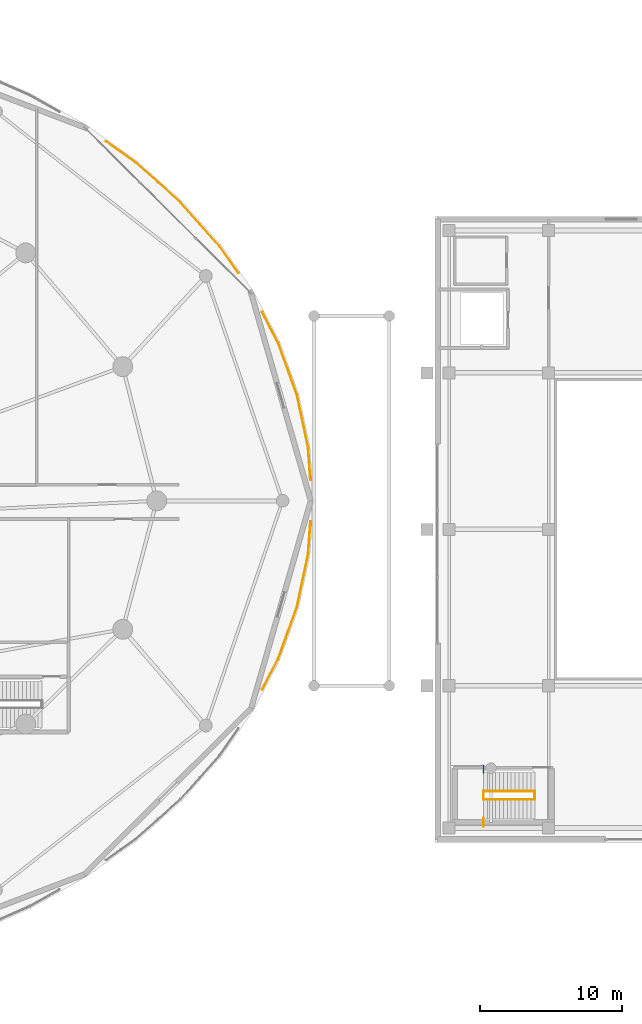
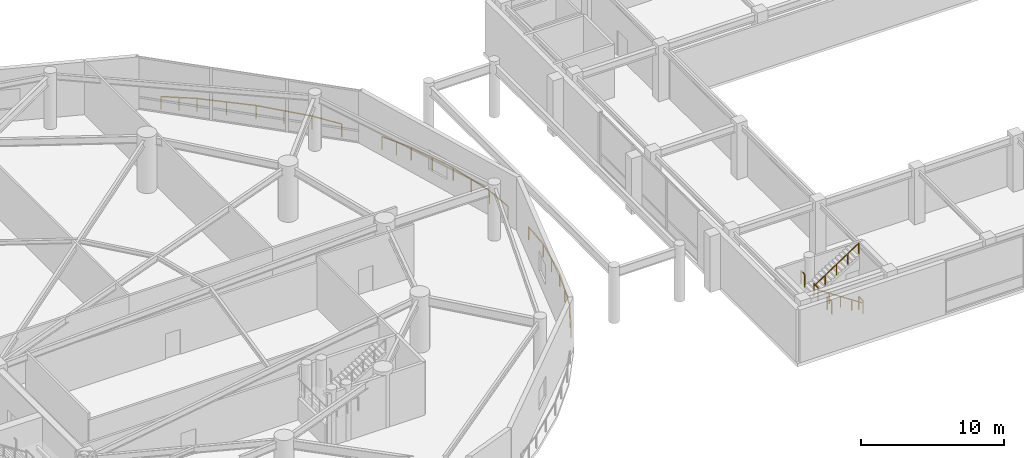
# One storey, part 38 of 40: 9 railings.
"""IFC4 building model written with IfcOpenShell, lengths in metres."""

from ifc_helpers import new_model, si_unit, direction, frame, origin, origin_2d, place, context, subcontext, project, spatial, rectangle, extrude, material, type_object, element, save


model = new_model("IFC4")

# Units and contexts
model_context = context("Model", 3, precision=1e-05, world=origin(), true_north=direction((0.0, 1.0)))
body_context = subcontext(model_context, "Body", "Model", "MODEL_VIEW")
ifc_project = project(units=[si_unit("LENGTHUNIT", "METRE"), si_unit("AREAUNIT", "SQUARE_METRE"), si_unit("VOLUMEUNIT", "CUBIC_METRE"), si_unit("PLANEANGLEUNIT", "RADIAN"), si_unit("MASSUNIT", "GRAM", prefix="KILO")], contexts=[model_context])

# Site, building, storey
site_placement = place(None, origin())
site = spatial("IfcSite", under=ifc_project, at=site_placement, CompositionType="ELEMENT")
building_placement = place(site_placement, origin())
building = spatial("IfcBuilding", under=site, at=building_placement, Name="Kazevale Care Tower and Concert Hall", CompositionType="ELEMENT")
storey_placement = place(building_placement, frame((0.0, 0.0, 9.60009765625)))
storey = spatial("IfcBuildingStorey", under=building, at=storey_placement, Name="L02", CompositionType="ELEMENT", Elevation=9.60009765625)

# Railings
ifc_material_1 = material(Name="Anodised Bronze Aluminium and Laminated Glass", Category="aluminium")
railing_type_1 = type_object("IfcRailingType", Name="Balcony and Terrace Balustrade 1120", PredefinedType="BALUSTRADE", material=ifc_material_1)
railing_1_placement = place(storey_placement, frame((72.89892578125, 63.259033203125, 0.0)))
element("IfcRailing", 1, at=railing_1_placement, inside=storey, type_object=railing_type_1, Name="rail:L02:perim:12", PredefinedType="BALUSTRADE", context=body_context, shape_type="SweptSolid", body=[
    extrude(rectangle(XDim=0.048095703125, YDim=0.048095703125, at=origin_2d()), frame((0.0, 0.0, 1.09619140625), z_axis=(0.815188786096, -0.579195340989, 0.0), x_axis=(0.579195340989, 0.815188786096, 0.0)), (0.0, 0.0, 1.0), 2.53466796875),
    extrude(rectangle(XDim=0.048095703125, YDim=0.048095703125, at=origin_2d()), frame((2.066162109375, -1.468017578125, 1.09619140625), z_axis=(0.746983011463, -0.664843124794, 0.0), x_axis=(0.664843124794, 0.746983011463, 0.0)), (0.0, 0.0, 1.0), 4.2353515625),
    extrude(rectangle(XDim=0.048095703125, YDim=0.048095703125, at=origin_2d()), frame((5.22998046875, -4.283935546875, 1.09619140625), z_axis=(0.665728837253, -0.746193751816, 0.0), x_axis=(0.746193751816, 0.665728837253, 0.0)), (0.0, 0.0, 1.0), 4.12646484375),
    extrude(rectangle(XDim=0.048095703125, YDim=0.048095703125, at=origin_2d()), frame((7.97705078125, -7.363037109375, 1.09619140625), z_axis=(0.570672394322, -0.821177823835, 0.0), x_axis=(0.821177823835, 0.570672394322, 0.0)), (0.0, 0.0, 1.0), 2.299072265625),
    extrude(rectangle(XDim=0.0419921875, YDim=0.0419921875, at=origin_2d()), origin(), (0.0, 0.0, 1.0), 1.072021484375),
    extrude(rectangle(XDim=0.0419921875, YDim=0.0419921875, at=origin_2d()), frame((1.033203125, -0.73388671875, 0.0)), (0.0, 0.0, 1.0), 1.072021484375),
    extrude(rectangle(XDim=0.0419921875, YDim=0.0419921875, at=origin_2d()), frame((2.066162109375, -1.468017578125, 0.0)), (0.0, 0.0, 1.0), 1.072021484375),
    extrude(rectangle(XDim=0.0419921875, YDim=0.0419921875, at=origin_2d()), frame((3.64794921875, -2.8759765625, 0.0)), (0.0, 0.0, 1.0), 1.072021484375),
    extrude(rectangle(XDim=0.0419921875, YDim=0.0419921875, at=origin_2d()), frame((5.22998046875, -4.283935546875, 0.0)), (0.0, 0.0, 1.0), 1.072021484375),
    extrude(rectangle(XDim=0.0419921875, YDim=0.0419921875, at=origin_2d()), frame((6.603515625, -5.823486328125, 0.0)), (0.0, 0.0, 1.0), 1.072021484375),
    extrude(rectangle(XDim=0.0419921875, YDim=0.0419921875, at=origin_2d()), frame((7.97705078125, -7.363037109375, 0.0)), (0.0, 0.0, 1.0), 1.072021484375),
    extrude(rectangle(XDim=0.0419921875, YDim=0.0419921875, at=origin_2d()), frame((9.2890625, -9.2509765625, 0.0)), (0.0, 0.0, 1.0), 1.072021484375),
])
railing_2_placement = place(storey_placement, frame((83.864013671875, 51.261962890625, 0.0)))
element("IfcRailing", 2, at=railing_2_placement, inside=storey, type_object=railing_type_1, Name="rail:L02:perim:13", PredefinedType="BALUSTRADE", context=body_context, shape_type="SweptSolid", body=[
    extrude(rectangle(XDim=0.048095703125, YDim=0.048095703125, at=origin_2d()), frame((0.0, 0.0, 1.09619140625), z_axis=(0.462140207553, -0.88680687219, 0.0), x_axis=(0.88680687219, 0.462140207553, 0.0)), (0.0, 0.0, 1.0), 2.43017578125),
    extrude(rectangle(XDim=0.048095703125, YDim=0.048095703125, at=origin_2d()), frame((1.123046875, -2.155029296875, 1.09619140625), z_axis=(0.340410185576, -0.940277036599, 0.0), x_axis=(0.940277036599, 0.340410185576, 0.0)), (0.0, 0.0, 1.0), 3.854248046875),
    extrude(rectangle(XDim=0.048095703125, YDim=0.048095703125, at=origin_2d()), frame((2.43505859375, -5.779052734375, 1.09619140625), z_axis=(0.20907738305, -0.977899099037, 0.0), x_axis=(0.977899099037, 0.20907738305, 0.0)), (0.0, 0.0, 1.0), 3.802001953125),
    extrude(rectangle(XDim=0.048095703125, YDim=0.048095703125, at=origin_2d()), frame((3.22998046875, -9.4970703125, 1.09619140625), z_axis=(0.070459951237, -0.997514609052, 0.0), x_axis=(0.997514609052, 0.070459951237, 0.0)), (0.0, 0.0, 1.0), 2.314697265625),
    extrude(rectangle(XDim=0.0419921875, YDim=0.0419921875, at=origin_2d()), origin(), (0.0, 0.0, 1.0), 1.072021484375),
    extrude(rectangle(XDim=0.0419921875, YDim=0.0419921875, at=origin_2d()), frame((0.5615234375, -1.07763671875, 0.0)), (0.0, 0.0, 1.0), 1.072021484375),
    extrude(rectangle(XDim=0.0419921875, YDim=0.0419921875, at=origin_2d()), frame((1.123046875, -2.155029296875, 0.0)), (0.0, 0.0, 1.0), 1.072021484375),
    extrude(rectangle(XDim=0.0419921875, YDim=0.0419921875, at=origin_2d()), frame((1.779052734375, -3.967041015625, 0.0)), (0.0, 0.0, 1.0), 1.072021484375),
    extrude(rectangle(XDim=0.0419921875, YDim=0.0419921875, at=origin_2d()), frame((2.43505859375, -5.779052734375, 0.0)), (0.0, 0.0, 1.0), 1.072021484375),
    extrude(rectangle(XDim=0.0419921875, YDim=0.0419921875, at=origin_2d()), frame((2.83251953125, -7.63818359375, 0.0)), (0.0, 0.0, 1.0), 1.072021484375),
    extrude(rectangle(XDim=0.0419921875, YDim=0.0419921875, at=origin_2d()), frame((3.22998046875, -9.4970703125, 0.0)), (0.0, 0.0, 1.0), 1.072021484375),
    extrude(rectangle(XDim=0.0419921875, YDim=0.0419921875, at=origin_2d()), frame((3.39306640625, -11.805908203125, 0.0)), (0.0, 0.0, 1.0), 1.072021484375),
])
railing_3_placement = place(storey_placement, frame((87.257080078125, 36.54296875, 0.0)))
element("IfcRailing", 3, at=railing_3_placement, inside=storey, type_object=railing_type_1, Name="rail:L02:perim:14", PredefinedType="BALUSTRADE", context=body_context, shape_type="SweptSolid", body=[
    extrude(rectangle(XDim=0.048095703125, YDim=0.048095703125, at=origin_2d()), frame((0.0, 0.0, 1.09619140625), z_axis=(-0.070489617977, -0.997512513083, 0.0), x_axis=(0.997512513083, -0.070489617977, 0.0)), (0.0, 0.0, 1.0), 2.313720703125),
    extrude(rectangle(XDim=0.048095703125, YDim=0.048095703125, at=origin_2d()), frame((-0.1630859375, -2.307861328125, 1.09619140625), z_axis=(-0.20907738305, -0.977899099037, 0.0), x_axis=(0.977899099037, -0.20907738305, 0.0)), (0.0, 0.0, 1.0), 3.802001953125),
    extrude(rectangle(XDim=0.048095703125, YDim=0.048095703125, at=origin_2d()), frame((-0.9580078125, -6.02587890625, 1.09619140625), z_axis=(-0.340410185576, -0.940277036599, 0.0), x_axis=(0.940277036599, -0.340410185576, 0.0)), (0.0, 0.0, 1.0), 3.854248046875),
    extrude(rectangle(XDim=0.048095703125, YDim=0.048095703125, at=origin_2d()), frame((-2.27001953125, -9.64990234375, 1.09619140625), z_axis=(-0.462140207553, -0.88680687219, 0.0), x_axis=(0.88680687219, -0.462140207553, 0.0)), (0.0, 0.0, 1.0), 2.43017578125),
    extrude(rectangle(XDim=0.0419921875, YDim=0.0419921875, at=origin_2d()), origin(), (0.0, 0.0, 1.0), 1.072021484375),
    extrude(rectangle(XDim=0.0419921875, YDim=0.0419921875, at=origin_2d()), frame((-0.1630859375, -2.307861328125, 0.0)), (0.0, 0.0, 1.0), 1.072021484375),
    extrude(rectangle(XDim=0.0419921875, YDim=0.0419921875, at=origin_2d()), frame((-0.560546875, -4.1669921875, 0.0)), (0.0, 0.0, 1.0), 1.072021484375),
    extrude(rectangle(XDim=0.0419921875, YDim=0.0419921875, at=origin_2d()), frame((-0.9580078125, -6.02587890625, 0.0)), (0.0, 0.0, 1.0), 1.072021484375),
    extrude(rectangle(XDim=0.0419921875, YDim=0.0419921875, at=origin_2d()), frame((-1.614013671875, -7.837890625, 0.0)), (0.0, 0.0, 1.0), 1.072021484375),
    extrude(rectangle(XDim=0.0419921875, YDim=0.0419921875, at=origin_2d()), frame((-2.27001953125, -9.64990234375, 0.0)), (0.0, 0.0, 1.0), 1.072021484375),
    extrude(rectangle(XDim=0.0419921875, YDim=0.0419921875, at=origin_2d()), frame((-2.83154296875, -10.7275390625, 0.0)), (0.0, 0.0, 1.0), 1.072021484375),
    extrude(rectangle(XDim=0.0419921875, YDim=0.0419921875, at=origin_2d()), frame((-3.39306640625, -11.804931640625, 0.0)), (0.0, 0.0, 1.0), 1.072021484375),
])
ifc_material_2 = material(Name="Stainless Steel 316", Category="steel")
railing_type_2 = type_object("IfcRailingType", Name="Stair Pitch Handrail 920", PredefinedType="HANDRAIL", material=ifc_material_2)
railing_4_placement = place(storey_placement, frame((103.050048828125, 17.010009765625, 0.0)))
element("IfcRailing", 4, at=railing_4_placement, inside=storey, type_object=railing_type_2, Name="stair:L02:ST4:hr1", PredefinedType="HANDRAIL", context=body_context, shape_type="SweptSolid", body=[
    extrude(rectangle(XDim=0.048095703125, YDim=0.048095703125, at=origin_2d()), frame((0.0, 0.0, 0.89599609375), z_axis=(-0.83488217925, 0.0, 0.55042869363), x_axis=(0.0, -1.0, 0.0)), (0.0, 0.0, 1.0), 4.360107421875),
    extrude(rectangle(XDim=0.0419921875, YDim=0.0419921875, at=origin_2d()), origin(), (0.0, 0.0, 1.0), 0.871826171875),
    extrude(rectangle(XDim=0.0419921875, YDim=0.0419921875, at=origin_2d()), frame((-0.91015625, 0.0, 0.60009765625)), (0.0, 0.0, 1.0), 0.871826171875),
    extrude(rectangle(XDim=0.0419921875, YDim=0.0419921875, at=origin_2d()), frame((-1.820068359375, 0.0, 1.199951171875)), (0.0, 0.0, 1.0), 0.871826171875),
    extrude(rectangle(XDim=0.0419921875, YDim=0.0419921875, at=origin_2d()), frame((-2.72998046875, 0.0, 1.7998046875)), (0.0, 0.0, 1.0), 0.871826171875),
    extrude(rectangle(XDim=0.0419921875, YDim=0.0419921875, at=origin_2d()), frame((-3.64013671875, 0.0, 2.39990234375)), (0.0, 0.0, 1.0), 0.871826171875),
])
railing_5_placement = place(storey_placement, frame((99.409912109375, 17.590087890625, 2.39990234375)))
element("IfcRailing", 5, at=railing_5_placement, inside=storey, type_object=railing_type_2, Name="stair:L02:ST4:hr2", PredefinedType="HANDRAIL", context=body_context, shape_type="SweptSolid", body=[
    extrude(rectangle(XDim=0.048095703125, YDim=0.048095703125, at=origin_2d()), frame((0.0, 0.0, 0.89599609375), z_axis=(0.83488217925, 0.0, 0.55042869363), x_axis=(0.0, 1.0, 0.0)), (0.0, 0.0, 1.0), 4.360107421875),
    extrude(rectangle(XDim=0.0419921875, YDim=0.0419921875, at=origin_2d()), origin(), (0.0, 0.0, 1.0), 0.871826171875),
    extrude(rectangle(XDim=0.0419921875, YDim=0.0419921875, at=origin_2d()), frame((0.91015625, 0.0, 0.60009765625)), (0.0, 0.0, 1.0), 0.871826171875),
    extrude(rectangle(XDim=0.0419921875, YDim=0.0419921875, at=origin_2d()), frame((1.820068359375, 0.0, 1.199951171875)), (0.0, 0.0, 1.0), 0.871826171875),
    extrude(rectangle(XDim=0.0419921875, YDim=0.0419921875, at=origin_2d()), frame((2.72998046875, 0.0, 1.7998046875)), (0.0, 0.0, 1.0), 0.871826171875),
    extrude(rectangle(XDim=0.0419921875, YDim=0.0419921875, at=origin_2d()), frame((3.64013671875, 0.0, 2.39990234375)), (0.0, 0.0, 1.0), 0.871826171875),
])
railing_type_3 = type_object("IfcRailingType", Name="Stair Well Guard Balustrade 1120", PredefinedType="BALUSTRADE", material=ifc_material_2)
railing_6_placement = place(storey_placement, frame((99.409912109375, 15.10009765625, 2.39990234375)))
element("IfcRailing", 6, at=railing_6_placement, inside=storey, type_object=railing_type_3, Name="stair:L02:ST4:grd_side1", PredefinedType="BALUSTRADE", context=body_context, shape_type="SweptSolid", body=[
    extrude(rectangle(XDim=0.048095703125, YDim=0.048095703125, at=origin_2d()), frame((0.0, 0.0, 1.09619140625), z_axis=(0.0, 1.0, 0.0), x_axis=(-1.0, 0.0, 0.0)), (0.0, 0.0, 1.0), 0.60986328125),
    extrude(rectangle(XDim=0.0419921875, YDim=0.0419921875, at=origin_2d()), origin(), (0.0, 0.0, 1.0), 1.072021484375),
    extrude(rectangle(XDim=0.0419921875, YDim=0.0419921875, at=origin_2d()), frame((0.0, 0.60986328125, 0.0)), (0.0, 0.0, 1.0), 1.072021484375),
])
railing_7_placement = place(storey_placement, frame((99.409912109375, 18.889892578125, 2.39990234375)))
element("IfcRailing", 7, at=railing_7_placement, inside=storey, type_object=railing_type_3, Name="stair:L02:ST4:grd_side2", PredefinedType="BALUSTRADE", context=body_context, shape_type="SweptSolid", body=[
    extrude(rectangle(XDim=0.048095703125, YDim=0.048095703125, at=origin_2d()), frame((0.0, 0.0, 1.09619140625), z_axis=(0.0, 1.0, 0.0), x_axis=(-1.0, 0.0, 0.0)), (0.0, 0.0, 1.0), 0.510009765625),
    extrude(rectangle(XDim=0.0419921875, YDim=0.0419921875, at=origin_2d()), origin(), (0.0, 0.0, 1.0), 1.072021484375),
    extrude(rectangle(XDim=0.0419921875, YDim=0.0419921875, at=origin_2d()), frame((0.0, 0.510009765625, 0.0)), (0.0, 0.0, 1.0), 1.072021484375),
])
for number, where, name in (
    (8, (99.409912109375, 17.010009765625, 2.39990234375), "stair:L02:ST4:grd_mid"),
    (9, (103.050048828125, 17.010009765625, 0.0), "stair:L02:ST4:grd_flr"),
):
    element("IfcRailing", number, at=place(storey_placement, frame(where)), inside=storey, type_object=railing_type_3, Name=name, PredefinedType="BALUSTRADE", context=body_context, shape_type="SweptSolid", body=[
        extrude(rectangle(XDim=0.048095703125, YDim=0.048095703125, at=origin_2d()), frame((0.0, 0.0, 1.09619140625), z_axis=(0.0, 1.0, 0.0), x_axis=(-1.0, 0.0, 0.0)), (0.0, 0.0, 1.0), 0.580078125),
        extrude(rectangle(XDim=0.0419921875, YDim=0.0419921875, at=origin_2d()), origin(), (0.0, 0.0, 1.0), 1.072021484375),
        extrude(rectangle(XDim=0.0419921875, YDim=0.0419921875, at=origin_2d()), frame((0.0, 0.580078125, 0.0)), (0.0, 0.0, 1.0), 1.072021484375),
    ])

save(model, "model.ifc")
